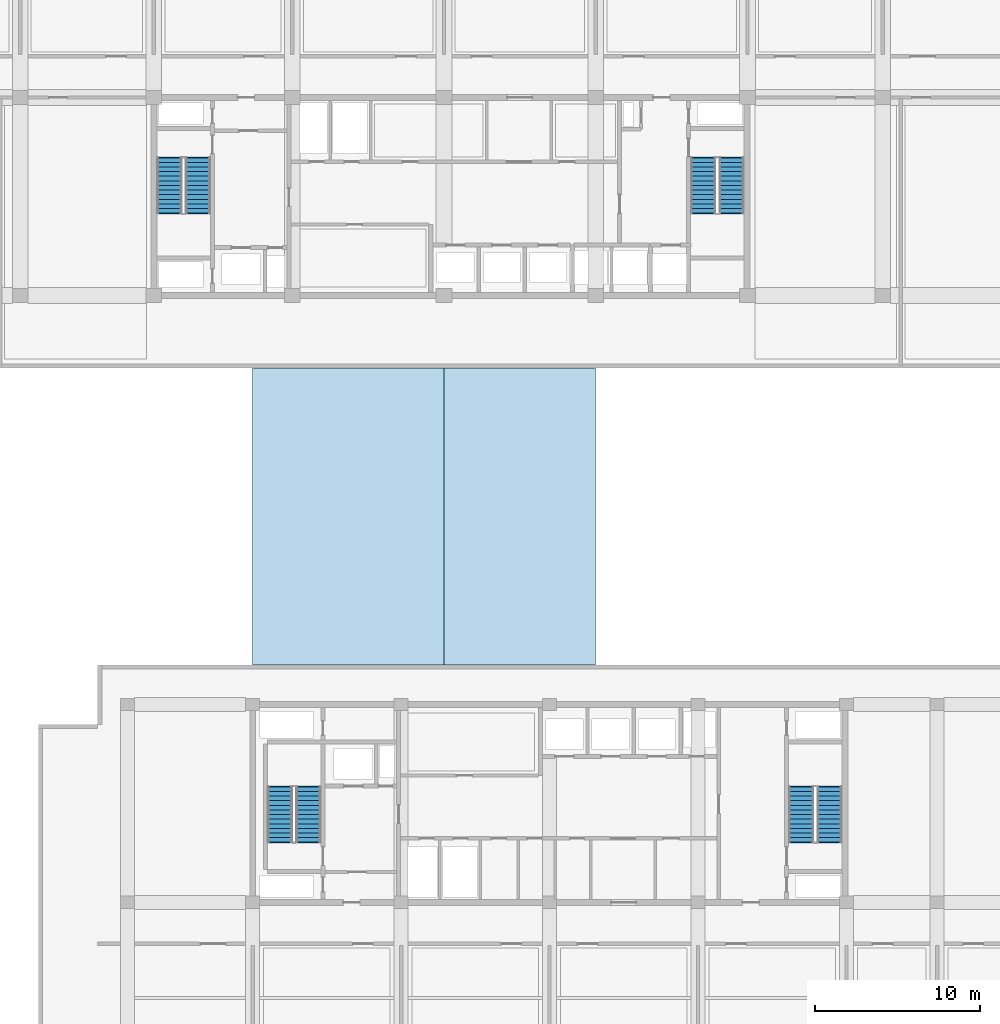
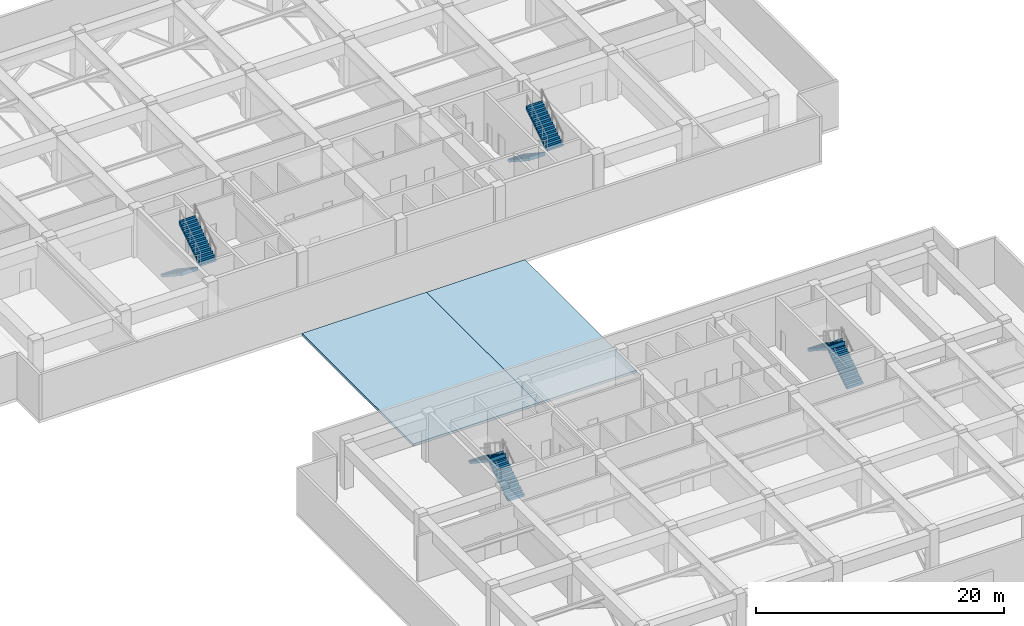
# One storey, part 14 of 22: 8 stair flights, 2 roofs, 4 elements without a shape of their own.
"""IFC4 building model written with IfcOpenShell, lengths in metres."""

from ifc_helpers import new_model, si_unit, direction, frame, origin, place, context, subcontext, project, spatial, polyline, outline, extrude, material, layer, layer_set, type_object, element, aggregate, save


model = new_model("IFC4")

# Units and contexts
model_context = context("Model", 3, precision=1e-05, world=origin(), true_north=direction((0.0, 1.0)))
body_context = subcontext(model_context, "Body", "Model", "MODEL_VIEW")
ifc_project = project(units=[si_unit("LENGTHUNIT", "METRE"), si_unit("AREAUNIT", "SQUARE_METRE"), si_unit("VOLUMEUNIT", "CUBIC_METRE"), si_unit("PLANEANGLEUNIT", "RADIAN"), si_unit("MASSUNIT", "GRAM", prefix="KILO")], contexts=[model_context])

# Site, building, storey
site_placement = place(None, origin())
site = spatial("IfcSite", under=ifc_project, at=site_placement, CompositionType="ELEMENT")
building_placement = place(site_placement, origin())
building = spatial("IfcBuilding", under=site, at=building_placement, Name="Korimba Cascade Residences", CompositionType="ELEMENT")
storey_placement = place(building_placement, frame((0.0, 0.0, 157.300048828125)))
storey = spatial("IfcBuildingStorey", under=building, at=storey_placement, Name="L45", CompositionType="ELEMENT", Elevation=157.300048828125)

# Stair, stair flights
ifc_material_1 = material(Name="Concrete C50/60", Category="concrete")
stair_type_1 = type_object("IfcStairType", Name="STR-W1-26R-1846", PredefinedType="HALF_TURN_STAIR", material=ifc_material_1)
stair_1_placement = place(storey_placement, origin())
stair_1 = element("IfcStair", 1, at=stair_1_placement, inside=storey, type_object=stair_type_1, Name="L45 Tower 1 West Fire Stair ST-W1", PredefinedType="HALF_TURN_STAIR")
stair_flight_type = type_object("IfcStairFlightType", Name="STF-DL-26R-1846-1520", PredefinedType="STRAIGHT", material=ifc_material_1)
stair_flight_1_placement = place(storey_placement, frame((77.06005859375, 63.550048828125, 0.0), z_axis=(0.0, 0.0, 1.0), x_axis=(0.0, -1.0, 0.0)))
stair_flight_1 = element("IfcStairFlight", 2, at=stair_flight_1_placement, type_object=stair_flight_type, Name="ST-W1 flight 1", NumberOfRisers=13, NumberOfTreads=12, PredefinedType="STRAIGHT", RiserHeight=0.184615385, TreadLength=0.28, context=body_context, shape_type="SweptSolid", body=[
    extrude(outline(polyline([(-0.0380859375, 0.0), (0.0, 0.1845703125), (0.280029296875, 0.1845703125), (0.280029296875, 0.369140625), (0.56005859375, 0.369140625), (0.56005859375, 0.553955078125), (0.840087890625, 0.553955078125), (0.840087890625, 0.738525390625), (1.1201171875, 0.738525390625), (1.1201171875, 0.923095703125), (1.39990234375, 0.923095703125), (1.39990234375, 1.107666015625), (1.679931640625, 1.107666015625), (1.679931640625, 1.292236328125), (1.9599609375, 1.292236328125), (1.9599609375, 1.476806640625), (2.239990234375, 1.476806640625), (2.239990234375, 1.66162109375), (2.52001953125, 1.66162109375), (2.52001953125, 1.84619140625), (2.800048828125, 1.84619140625), (2.800048828125, 2.03076171875), (3.080078125, 2.03076171875), (3.080078125, 2.21533203125), (3.360107421875, 2.21533203125), (3.360107421875, 2.39990234375), (3.39794921875, 2.39990234375), (3.39794921875, 2.035888671875), (0.272216796875, 0.0), (0.272216796875, -0.0380859375), (-0.0380859375, -0.0380859375), (-0.0380859375, 0.0)])), frame((0.0, 0.760009765625, 0.0), z_axis=(0.0, -1.0, 0.0), x_axis=(1.0, 0.0, 0.0)), (0.0, 0.0, 1.0), 1.52001953125),
])
stair_flight_2_placement = place(storey_placement, frame((78.780029296875, 60.18994140625, 2.39990234375), z_axis=(0.0, 0.0, 1.0), x_axis=(0.0, 1.0, 0.0)))
stair_flight_2 = element("IfcStairFlight", 3, at=stair_flight_2_placement, type_object=stair_flight_type, Name="ST-W1 flight 2", NumberOfRisers=13, NumberOfTreads=12, PredefinedType="STRAIGHT", RiserHeight=0.184615385, TreadLength=0.28, context=body_context, shape_type="SweptSolid", body=[
    extrude(outline(polyline([(-0.0380859375, 0.0), (0.0, 0.1845703125), (0.280029296875, 0.1845703125), (0.280029296875, 0.369140625), (0.56005859375, 0.369140625), (0.56005859375, 0.553955078125), (0.840087890625, 0.553955078125), (0.840087890625, 0.738525390625), (1.1201171875, 0.738525390625), (1.1201171875, 0.923095703125), (1.39990234375, 0.923095703125), (1.39990234375, 1.107666015625), (1.679931640625, 1.107666015625), (1.679931640625, 1.292236328125), (1.9599609375, 1.292236328125), (1.9599609375, 1.476806640625), (2.239990234375, 1.476806640625), (2.239990234375, 1.66162109375), (2.52001953125, 1.66162109375), (2.52001953125, 1.84619140625), (2.800048828125, 1.84619140625), (2.800048828125, 2.03076171875), (3.080078125, 2.03076171875), (3.080078125, 2.21533203125), (3.360107421875, 2.21533203125), (3.360107421875, 2.39990234375), (3.39794921875, 2.39990234375), (3.39794921875, 2.035888671875), (0.272216796875, 0.0), (0.272216796875, -0.0380859375), (-0.0380859375, -0.0380859375), (-0.0380859375, 0.0)])), frame((0.0, 0.760009765625, 0.0), z_axis=(0.0, -1.0, 0.0), x_axis=(1.0, 0.0, 0.0)), (0.0, 0.0, 1.0), 1.52001953125),
])
aggregate(stair_1, [stair_flight_1, stair_flight_2])

stair_type_2 = type_object("IfcStairType", Name="STR-W2-26R-1846", PredefinedType="HALF_TURN_STAIR", material=ifc_material_1)
stair_2_placement = place(storey_placement, origin())
stair_2 = element("IfcStair", 4, at=stair_2_placement, inside=storey, type_object=stair_type_2, Name="L45 Tower 1 East Fire Stair ST-W2", PredefinedType="HALF_TURN_STAIR")
stair_flight_3_placement = place(storey_placement, frame((109.419921875, 63.550048828125, 0.0), z_axis=(0.0, 0.0, 1.0), x_axis=(0.0, -1.0, 0.0)))
stair_flight_3 = element("IfcStairFlight", 5, at=stair_flight_3_placement, type_object=stair_flight_type, Name="ST-W2 flight 1", NumberOfRisers=13, NumberOfTreads=12, PredefinedType="STRAIGHT", RiserHeight=0.184615385, TreadLength=0.28, context=body_context, shape_type="SweptSolid", body=[
    extrude(outline(polyline([(-0.0380859375, 0.0), (0.0, 0.1845703125), (0.280029296875, 0.1845703125), (0.280029296875, 0.369140625), (0.56005859375, 0.369140625), (0.56005859375, 0.553955078125), (0.840087890625, 0.553955078125), (0.840087890625, 0.738525390625), (1.1201171875, 0.738525390625), (1.1201171875, 0.923095703125), (1.39990234375, 0.923095703125), (1.39990234375, 1.107666015625), (1.679931640625, 1.107666015625), (1.679931640625, 1.292236328125), (1.9599609375, 1.292236328125), (1.9599609375, 1.476806640625), (2.239990234375, 1.476806640625), (2.239990234375, 1.66162109375), (2.52001953125, 1.66162109375), (2.52001953125, 1.84619140625), (2.800048828125, 1.84619140625), (2.800048828125, 2.03076171875), (3.080078125, 2.03076171875), (3.080078125, 2.21533203125), (3.360107421875, 2.21533203125), (3.360107421875, 2.39990234375), (3.39794921875, 2.39990234375), (3.39794921875, 2.035888671875), (0.272216796875, 0.0), (0.272216796875, -0.0380859375), (-0.0380859375, -0.0380859375), (-0.0380859375, 0.0)])), frame((0.0, 0.760009765625, 0.0), z_axis=(0.0, -1.0, 0.0), x_axis=(1.0, 0.0, 0.0)), (0.0, 0.0, 1.0), 1.52001953125),
])
stair_flight_4_placement = place(storey_placement, frame((111.139892578125, 60.18994140625, 2.39990234375), z_axis=(0.0, 0.0, 1.0), x_axis=(0.0, 1.0, 0.0)))
stair_flight_4 = element("IfcStairFlight", 6, at=stair_flight_4_placement, type_object=stair_flight_type, Name="ST-W2 flight 2", NumberOfRisers=13, NumberOfTreads=12, PredefinedType="STRAIGHT", RiserHeight=0.184615385, TreadLength=0.28, context=body_context, shape_type="SweptSolid", body=[
    extrude(outline(polyline([(-0.0380859375, 0.0), (0.0, 0.1845703125), (0.280029296875, 0.1845703125), (0.280029296875, 0.369140625), (0.56005859375, 0.369140625), (0.56005859375, 0.553955078125), (0.840087890625, 0.553955078125), (0.840087890625, 0.738525390625), (1.1201171875, 0.738525390625), (1.1201171875, 0.923095703125), (1.39990234375, 0.923095703125), (1.39990234375, 1.107666015625), (1.679931640625, 1.107666015625), (1.679931640625, 1.292236328125), (1.9599609375, 1.292236328125), (1.9599609375, 1.476806640625), (2.239990234375, 1.476806640625), (2.239990234375, 1.66162109375), (2.52001953125, 1.66162109375), (2.52001953125, 1.84619140625), (2.800048828125, 1.84619140625), (2.800048828125, 2.03076171875), (3.080078125, 2.03076171875), (3.080078125, 2.21533203125), (3.360107421875, 2.21533203125), (3.360107421875, 2.39990234375), (3.39794921875, 2.39990234375), (3.39794921875, 2.035888671875), (0.272216796875, 0.0), (0.272216796875, -0.0380859375), (-0.0380859375, -0.0380859375), (-0.0380859375, 0.0)])), frame((0.0, 0.760009765625, 0.0), z_axis=(0.0, -1.0, 0.0), x_axis=(1.0, 0.0, 0.0)), (0.0, 0.0, 1.0), 1.52001953125),
])
aggregate(stair_2, [stair_flight_3, stair_flight_4])

stair_type_3 = type_object("IfcStairType", Name="STR-E1-26R-1846", PredefinedType="HALF_TURN_STAIR", material=ifc_material_1)
stair_3_placement = place(storey_placement, origin())
stair_3 = element("IfcStair", 7, at=stair_3_placement, inside=storey, type_object=stair_type_3, Name="L45 Tower 2 West Fire Stair ST-E1", PredefinedType="HALF_TURN_STAIR")
stair_flight_5_placement = place(storey_placement, frame((85.47998046875, 22.050048828125, 0.0), z_axis=(0.0, 0.0, 1.0), x_axis=(0.0, 1.0, 0.0)))
stair_flight_5 = element("IfcStairFlight", 8, at=stair_flight_5_placement, type_object=stair_flight_type, Name="ST-E1 flight 1", NumberOfRisers=13, NumberOfTreads=12, PredefinedType="STRAIGHT", RiserHeight=0.184615385, TreadLength=0.28, context=body_context, shape_type="SweptSolid", body=[
    extrude(outline(polyline([(-0.0380859375, 0.0), (0.0, 0.1845703125), (0.280029296875, 0.1845703125), (0.280029296875, 0.369140625), (0.56005859375, 0.369140625), (0.56005859375, 0.553955078125), (0.840087890625, 0.553955078125), (0.840087890625, 0.738525390625), (1.1201171875, 0.738525390625), (1.1201171875, 0.923095703125), (1.39990234375, 0.923095703125), (1.39990234375, 1.107666015625), (1.679931640625, 1.107666015625), (1.679931640625, 1.292236328125), (1.9599609375, 1.292236328125), (1.9599609375, 1.476806640625), (2.239990234375, 1.476806640625), (2.239990234375, 1.66162109375), (2.52001953125, 1.66162109375), (2.52001953125, 1.84619140625), (2.800048828125, 1.84619140625), (2.800048828125, 2.03076171875), (3.080078125, 2.03076171875), (3.080078125, 2.21533203125), (3.360107421875, 2.21533203125), (3.360107421875, 2.39990234375), (3.39794921875, 2.39990234375), (3.39794921875, 2.035888671875), (0.272216796875, 0.0), (0.272216796875, -0.0380859375), (-0.0380859375, -0.0380859375), (-0.0380859375, 0.0)])), frame((0.0, 0.760009765625, 0.0), z_axis=(0.0, -1.0, 0.0), x_axis=(1.0, 0.0, 0.0)), (0.0, 0.0, 1.0), 1.52001953125),
])
stair_flight_6_placement = place(storey_placement, frame((83.760009765625, 25.409912109375, 2.39990234375), z_axis=(0.0, 0.0, 1.0), x_axis=(0.0, -1.0, 0.0)))
stair_flight_6 = element("IfcStairFlight", 9, at=stair_flight_6_placement, type_object=stair_flight_type, Name="ST-E1 flight 2", NumberOfRisers=13, NumberOfTreads=12, PredefinedType="STRAIGHT", RiserHeight=0.184615385, TreadLength=0.28, context=body_context, shape_type="SweptSolid", body=[
    extrude(outline(polyline([(-0.0380859375, 0.0), (0.0, 0.1845703125), (0.280029296875, 0.1845703125), (0.280029296875, 0.369140625), (0.56005859375, 0.369140625), (0.56005859375, 0.553955078125), (0.840087890625, 0.553955078125), (0.840087890625, 0.738525390625), (1.1201171875, 0.738525390625), (1.1201171875, 0.923095703125), (1.39990234375, 0.923095703125), (1.39990234375, 1.107666015625), (1.679931640625, 1.107666015625), (1.679931640625, 1.292236328125), (1.9599609375, 1.292236328125), (1.9599609375, 1.476806640625), (2.239990234375, 1.476806640625), (2.239990234375, 1.66162109375), (2.52001953125, 1.66162109375), (2.52001953125, 1.84619140625), (2.800048828125, 1.84619140625), (2.800048828125, 2.03076171875), (3.080078125, 2.03076171875), (3.080078125, 2.21533203125), (3.360107421875, 2.21533203125), (3.360107421875, 2.39990234375), (3.39794921875, 2.39990234375), (3.39794921875, 2.035888671875), (0.272216796875, 0.0), (0.272216796875, -0.0380859375), (-0.0380859375, -0.0380859375), (-0.0380859375, 0.0)])), frame((0.0, 0.760009765625, 0.0), z_axis=(0.0, -1.0, 0.0), x_axis=(1.0, 0.0, 0.0)), (0.0, 0.0, 1.0), 1.52001953125),
])
aggregate(stair_3, [stair_flight_5, stair_flight_6])

stair_type_4 = type_object("IfcStairType", Name="STR-E2-26R-1846", PredefinedType="HALF_TURN_STAIR", material=ifc_material_1)
stair_4_placement = place(storey_placement, origin())
stair_4 = element("IfcStair", 10, at=stair_4_placement, inside=storey, type_object=stair_type_4, Name="L45 Tower 2 East Fire Stair ST-E2", PredefinedType="HALF_TURN_STAIR")
stair_flight_7_placement = place(storey_placement, frame((117.080078125, 22.050048828125, 0.0), z_axis=(0.0, 0.0, 1.0), x_axis=(0.0, 1.0, 0.0)))
stair_flight_7 = element("IfcStairFlight", 11, at=stair_flight_7_placement, type_object=stair_flight_type, Name="ST-E2 flight 1", NumberOfRisers=13, NumberOfTreads=12, PredefinedType="STRAIGHT", RiserHeight=0.184615385, TreadLength=0.28, context=body_context, shape_type="SweptSolid", body=[
    extrude(outline(polyline([(-0.0380859375, 0.0), (0.0, 0.1845703125), (0.280029296875, 0.1845703125), (0.280029296875, 0.369140625), (0.56005859375, 0.369140625), (0.56005859375, 0.553955078125), (0.840087890625, 0.553955078125), (0.840087890625, 0.738525390625), (1.1201171875, 0.738525390625), (1.1201171875, 0.923095703125), (1.39990234375, 0.923095703125), (1.39990234375, 1.107666015625), (1.679931640625, 1.107666015625), (1.679931640625, 1.292236328125), (1.9599609375, 1.292236328125), (1.9599609375, 1.476806640625), (2.239990234375, 1.476806640625), (2.239990234375, 1.66162109375), (2.52001953125, 1.66162109375), (2.52001953125, 1.84619140625), (2.800048828125, 1.84619140625), (2.800048828125, 2.03076171875), (3.080078125, 2.03076171875), (3.080078125, 2.21533203125), (3.360107421875, 2.21533203125), (3.360107421875, 2.39990234375), (3.39794921875, 2.39990234375), (3.39794921875, 2.035888671875), (0.272216796875, 0.0), (0.272216796875, -0.0380859375), (-0.0380859375, -0.0380859375), (-0.0380859375, 0.0)])), frame((0.0, 0.760009765625, 0.0), z_axis=(0.0, -1.0, 0.0), x_axis=(1.0, 0.0, 0.0)), (0.0, 0.0, 1.0), 1.52001953125),
])
stair_flight_8_placement = place(storey_placement, frame((115.360107421875, 25.409912109375, 2.39990234375), z_axis=(0.0, 0.0, 1.0), x_axis=(0.0, -1.0, 0.0)))
stair_flight_8 = element("IfcStairFlight", 12, at=stair_flight_8_placement, type_object=stair_flight_type, Name="ST-E2 flight 2", NumberOfRisers=13, NumberOfTreads=12, PredefinedType="STRAIGHT", RiserHeight=0.184615385, TreadLength=0.28, context=body_context, shape_type="SweptSolid", body=[
    extrude(outline(polyline([(-0.0380859375, 0.0), (0.0, 0.1845703125), (0.280029296875, 0.1845703125), (0.280029296875, 0.369140625), (0.56005859375, 0.369140625), (0.56005859375, 0.553955078125), (0.840087890625, 0.553955078125), (0.840087890625, 0.738525390625), (1.1201171875, 0.738525390625), (1.1201171875, 0.923095703125), (1.39990234375, 0.923095703125), (1.39990234375, 1.107666015625), (1.679931640625, 1.107666015625), (1.679931640625, 1.292236328125), (1.9599609375, 1.292236328125), (1.9599609375, 1.476806640625), (2.239990234375, 1.476806640625), (2.239990234375, 1.66162109375), (2.52001953125, 1.66162109375), (2.52001953125, 1.84619140625), (2.800048828125, 1.84619140625), (2.800048828125, 2.03076171875), (3.080078125, 2.03076171875), (3.080078125, 2.21533203125), (3.360107421875, 2.21533203125), (3.360107421875, 2.39990234375), (3.39794921875, 2.39990234375), (3.39794921875, 2.035888671875), (0.272216796875, 0.0), (0.272216796875, -0.0380859375), (-0.0380859375, -0.0380859375), (-0.0380859375, 0.0)])), frame((0.0, 0.760009765625, 0.0), z_axis=(0.0, -1.0, 0.0), x_axis=(1.0, 0.0, 0.0)), (0.0, 0.0, 1.0), 1.52001953125),
])
aggregate(stair_4, [stair_flight_7, stair_flight_8])

# Roofs
ifc_material_2 = material(Name="Precast concrete C40/50", Category="concrete")
ifc_layer = layer(ifc_material_2, 0.239990234375)
ifc_layer_set = layer_set([ifc_layer], Name="Precast concrete C40/50")
roof_type = type_object("IfcRoofType", Name="ROOF-CANOPY", PredefinedType="FLAT_ROOF", material=ifc_layer_set)
roof_1_placement = place(storey_placement, frame((0.0, 0.0, -0.239990234375)))
element("IfcRoof", 13, at=roof_1_placement, inside=storey, type_object=roof_type, Name="L45 Sky Pool Pavilion West Canopy Roof", PredefinedType="FLAT_ROOF", context=body_context, shape_type="SweptSolid", body=[
    extrude(outline(polyline([(82.10009765625, 32.800048828125), (93.699951171875, 32.800048828125), (93.699951171875, 50.800048828125), (82.10009765625, 50.800048828125), (82.10009765625, 32.800048828125)])), origin(), (0.0, 0.0, 1.0), 0.239990234375),
])
roof_2_placement = place(storey_placement, frame((0.0, 0.0, -0.239990234375)))
element("IfcRoof", 14, at=roof_2_placement, inside=storey, type_object=roof_type, Name="L45 Sky Pool Pavilion East Canopy Roof", PredefinedType="FLAT_ROOF", context=body_context, shape_type="SweptSolid", body=[
    extrude(outline(polyline([(93.699951171875, 32.800048828125), (102.89990234375, 32.800048828125), (102.89990234375, 50.800048828125), (93.699951171875, 50.800048828125), (93.699951171875, 32.800048828125)])), origin(), (0.0, 0.0, 1.0), 0.239990234375),
])

save(model, "model.ifc")
